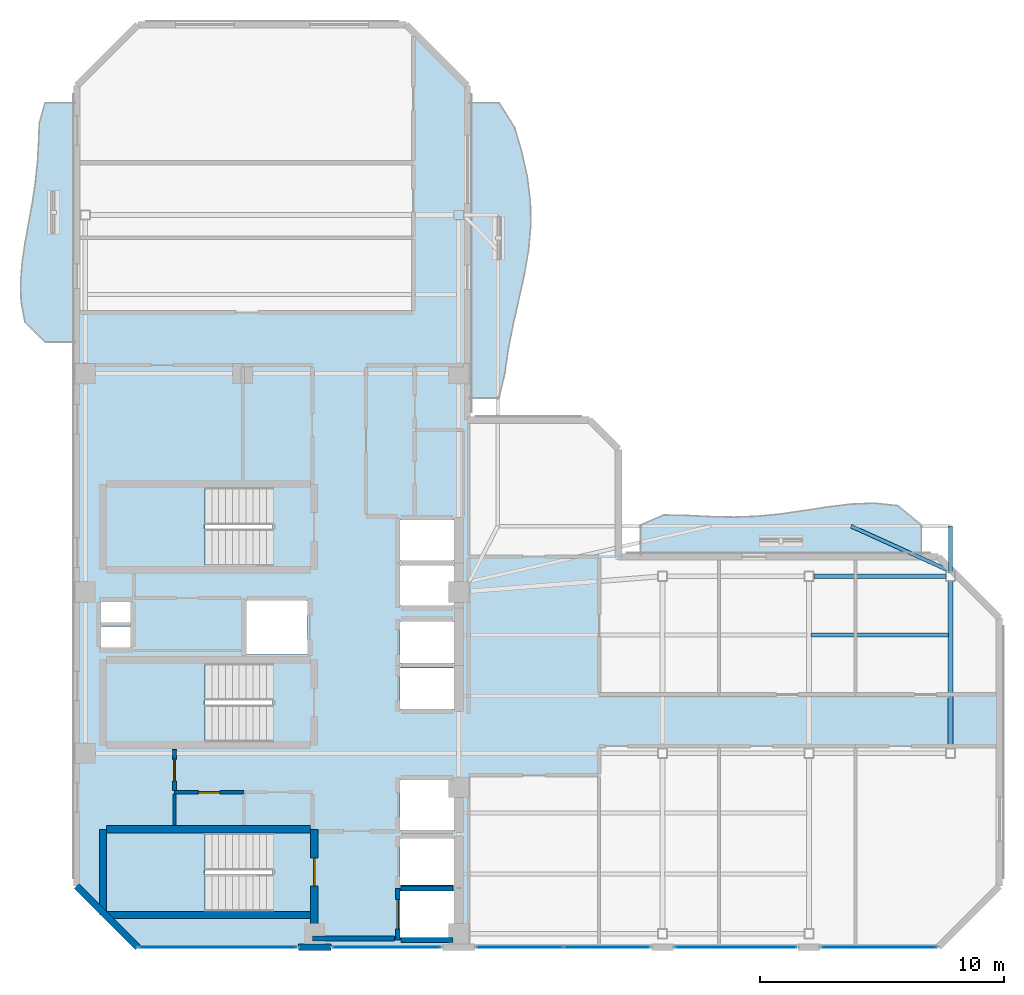
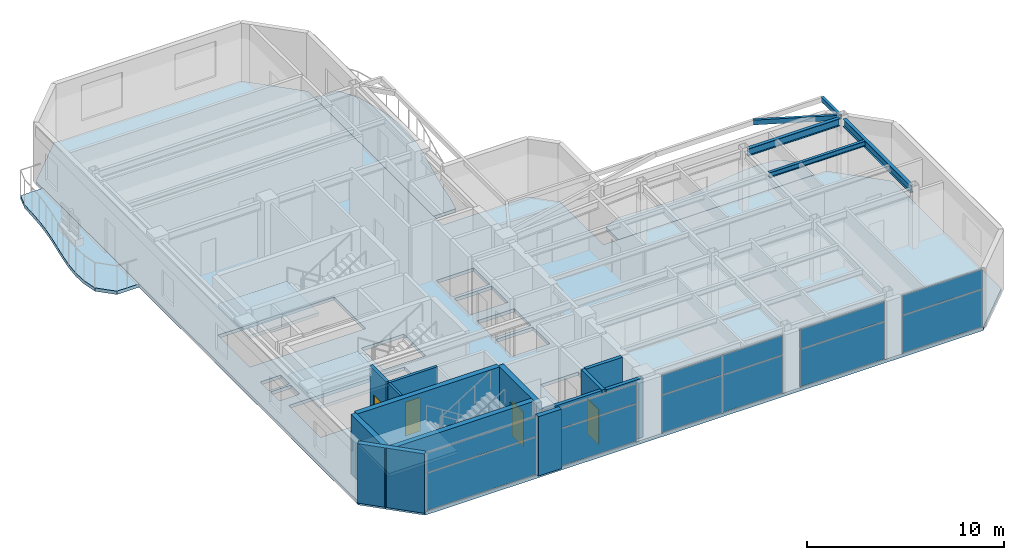
# One storey, part 8 of 15: 13 walls, 12 plates, 7 slabs, 5 beams, 4 doors, 4 openings, 8 elements without a shape of their own.
"""IFC4 building model written with IfcOpenShell, lengths in metres."""

import ifcopenshell
import ifcopenshell.guid

model = None  # the IFC model being written
_history = None  # IfcOwnerHistory: only IFC2X3 demands one
_inside = {}  # id of a spatial element -> (the spatial element, [elements in it])
_under = {}  # id of a project, library or spatial element -> (it, [spatial elements below it])
_declared = {}  # id of a project -> (the project, [libraries it declares])
_typed = {}  # id of a type object -> (the type object, [elements of that type])
_made_of = {}  # id of a material, layer set ... -> (it, [elements and type objects made of it])


def new_model(schema):
    """Start an empty IFC model of exactly this schema.

    Asked for "IFC4X3", IfcOpenShell would pick the latest addendum, in which some entities
    have other attributes; the version numbers below select the first issue.
    IFC2X3 requires an IfcOwnerHistory on every rooted entity: one is made here for all.
    """
    global model, _history
    if schema == "IFC4X3":
        model = ifcopenshell.file(schema_version=(4, 3, 0, 0))
    else:
        model = ifcopenshell.file(schema=schema)
    _inside.clear()
    _under.clear()
    _declared.clear()
    _typed.clear()
    _made_of.clear()
    _history = None
    if model.schema == "IFC2X3":
        org = make("IfcOrganization", Name="unknown")
        user = make(
            "IfcPersonAndOrganization",
            ThePerson=make("IfcPerson", FamilyName="unknown"),
            TheOrganization=org,
        )
        app = make(
            "IfcApplication",
            ApplicationDeveloper=org,
            Version="unknown",
            ApplicationFullName="unknown",
            ApplicationIdentifier="unknown",
        )
        _history = make(
            "IfcOwnerHistory",
            OwningUser=user,
            OwningApplication=app,
            ChangeAction="ADDED",
            CreationDate=0,
        )
    return model


def make(cls, **values):
    """One entity of the class cls with the attributes given. An attribute that is None is left unset."""
    return model.create_entity(
        cls, **{name: value for name, value in values.items() if value is not None}
    )


def rooted(cls, **values):
    """An entity with a GlobalId (a new one), such as an element, a storey or a relation."""
    return make(cls, GlobalId=ifcopenshell.guid.new(), OwnerHistory=_history, **values)


def si_unit(unit_type, name, prefix=None):
    """IfcSIUnit, for example si_unit("LENGTHUNIT", "METRE", prefix="MILLI")."""
    return make("IfcSIUnit", UnitType=unit_type, Prefix=prefix, Name=name)


def assignment(units):
    """IfcUnitAssignment: the units of a project."""
    return None if units is None else make("IfcUnitAssignment", Units=units)


def point(xyz):
    """IfcCartesianPoint."""
    return None if xyz is None else make("IfcCartesianPoint", Coordinates=xyz)


def direction(xyz):
    """IfcDirection."""
    return None if xyz is None else make("IfcDirection", DirectionRatios=xyz)


def frame(location, z_axis=None, x_axis=None):
    """IfcAxis2Placement3D, a coordinate frame: its origin and axes. An axis left out is left unset."""
    return make(
        "IfcAxis2Placement3D",
        Location=point(location),
        Axis=direction(z_axis),
        RefDirection=direction(x_axis),
    )


def frame_2d(location, x_axis=None):
    """IfcAxis2Placement2D, a coordinate frame in the plane: its origin and x axis."""
    return make(
        "IfcAxis2Placement2D", Location=point(location), RefDirection=direction(x_axis)
    )


def origin():
    """The frame at (0, 0, 0) with its axes left unset."""
    return frame((0.0, 0.0, 0.0))


def origin_2d():
    """The frame at (0, 0) in the plane with its x axis left unset."""
    return frame_2d((0.0, 0.0))


def place(relative_to, where):
    """IfcLocalPlacement: puts the frame where relative to a parent placement (None: the world)."""
    return make(
        "IfcLocalPlacement", PlacementRelTo=relative_to, RelativePlacement=where
    )


def context(
    kind, dimensions, precision=None, world=None, true_north=None, identifier=None
):
    """IfcGeometricRepresentationContext, for example the 3D "Model" context."""
    return make(
        "IfcGeometricRepresentationContext",
        ContextIdentifier=identifier,
        ContextType=kind,
        CoordinateSpaceDimension=dimensions,
        Precision=precision,
        WorldCoordinateSystem=world,
        TrueNorth=true_north,
    )


def subcontext(parent, identifier, kind, view, scale=None):
    """IfcGeometricRepresentationSubContext, for example "Body" below "Model"."""
    return make(
        "IfcGeometricRepresentationSubContext",
        ContextIdentifier=identifier,
        ContextType=kind,
        ParentContext=parent,
        TargetScale=scale,
        TargetView=view,
    )


def project(units=None, contexts=None):
    """IfcProject with its units and contexts."""
    return rooted(
        "IfcProject",
        Name="project",
        RepresentationContexts=contexts,
        UnitsInContext=assignment(units),
    )


def spatial(cls, under=None, at=None, **own):
    """A site, building, storey or space (cls), placed at a placement, below another one or the project."""
    s = rooted(cls, ObjectPlacement=at, **own)
    if under is not None:
        _under.setdefault(under.id(), (under, []))[1].append(s)
    return s


def polyline(points):
    """IfcPolyline through the points."""
    return make("IfcPolyline", Points=[point(p) for p in points])


def profile(cls, at=None, kind="AREA", **sizes):
    """A parametric profile (cls). Its sizes go by their IFC names, for example OverallWidth=200.0."""
    return make(cls, ProfileType=kind, Position=at, **sizes)


def rectangle(**sizes):
    """IfcRectangleProfileDef."""
    return profile("IfcRectangleProfileDef", **sizes)


def hollow_rectangle(**sizes):
    """IfcRectangleHollowProfileDef."""
    return profile("IfcRectangleHollowProfileDef", **sizes)


def i_section(**sizes):
    """IfcIShapeProfileDef."""
    return profile("IfcIShapeProfileDef", **sizes)


def outline(outer, holes=None, kind="AREA"):
    """IfcArbitraryClosedProfileDef: a profile drawn as a closed curve; with holes, ...WithVoids."""
    if holes is None:
        return make("IfcArbitraryClosedProfileDef", ProfileType=kind, OuterCurve=outer)
    return make(
        "IfcArbitraryProfileDefWithVoids",
        ProfileType=kind,
        OuterCurve=outer,
        InnerCurves=holes,
    )


def extrude(swept, where, along, depth):
    """IfcExtrudedAreaSolid: the profile swept, set in the frame where, extruded along a direction by depth."""
    return make(
        "IfcExtrudedAreaSolid",
        SweptArea=swept,
        Position=where,
        ExtrudedDirection=direction(along),
        Depth=depth,
    )


def shape(context_of_items, identifier, shape_type, items):
    """IfcShapeRepresentation: the items that make up one representation, for example the "Body"."""
    return make(
        "IfcShapeRepresentation",
        ContextOfItems=context_of_items,
        RepresentationIdentifier=identifier,
        RepresentationType=shape_type,
        Items=items,
    )


def material(Name=None, Category=None):
    """IfcMaterial."""
    return make("IfcMaterial", Name=Name, Category=Category)


def layer(
    of_material, thickness, ventilated=None, Name=None, Category=None, Priority=None
):
    """IfcMaterialLayer: one layer of a wall or slab, of a material (None: an air gap)."""
    return make(
        "IfcMaterialLayer",
        Material=of_material,
        LayerThickness=thickness,
        IsVentilated=ventilated,
        Name=Name,
        Category=Category,
        Priority=Priority,
    )


def layer_set(layers, Name=None):
    """IfcMaterialLayerSet."""
    return make("IfcMaterialLayerSet", MaterialLayers=layers, LayerSetName=Name)


def material_profile(
    of_material, cross_section, Name=None, Category=None, Priority=None
):
    """IfcMaterialProfile: a cross section and its material."""
    return make(
        "IfcMaterialProfile",
        Name=Name,
        Material=of_material,
        Profile=cross_section,
        Priority=Priority,
        Category=Category,
    )


def profile_set(profiles, Name=None, composite=None):
    """IfcMaterialProfileSet."""
    return make(
        "IfcMaterialProfileSet",
        Name=Name,
        MaterialProfiles=profiles,
        CompositeProfile=composite,
    )


def made_of(thing, what):
    """Note that an element or type object is made of a material, layer set ...; save() writes the relation."""
    if what is not None:
        _made_of.setdefault(what.id(), (what, []))[1].append(thing)
    return thing


def type_object(cls, material=None, **own):
    """A type object (cls), such as IfcWallType, which elements share."""
    return made_of(rooted(cls, **own), material)


def element(
    cls,
    number,
    at=None,
    inside=None,
    cuts=None,
    type_object=None,
    material=None,
    context=None,
    identifier="Body",
    shape_type=None,
    held_by="IfcProductDefinitionShape",
    body=None,
    shapes=None,
    **own,
):
    """One element of the class cls, such as IfcWall. Its Tag is "e" and its number.

    at: its placement. inside: the storey or other place that contains it. cuts: it is an
    opening in that element (IfcRelVoidsElement). A single representation is given by context,
    identifier, shape_type and body (its items); several are given by shapes. held_by: the class
    of the entity that holds the representations. save() writes the other relations.
    """
    e = rooted(cls, Tag="e%d" % number, ObjectPlacement=at, **own)
    if body is not None:
        shapes = [shape(context, identifier, shape_type, body)]
    if shapes is not None:
        e.Representation = make(held_by, Representations=shapes)
    if inside is not None:
        _inside.setdefault(inside.id(), (inside, []))[1].append(e)
    if cuts is not None:
        rooted(
            "IfcRelVoidsElement", RelatingBuildingElement=cuts, RelatedOpeningElement=e
        )
    if type_object is not None:
        _typed.setdefault(type_object.id(), (type_object, []))[1].append(e)
    return made_of(e, material)


def fill(opening, filler):
    """IfcRelFillsElement: the door or window that sits in an opening."""
    return rooted(
        "IfcRelFillsElement",
        RelatingOpeningElement=opening,
        RelatedBuildingElement=filler,
    )


def aggregate(whole, parts):
    """IfcRelAggregates: a whole, such as a stair, and the parts it consists of."""
    return rooted("IfcRelAggregates", RelatingObject=whole, RelatedObjects=parts)


def save(model, path):
    """Write the relations noted so far, then the file.

    IfcRelAggregates (storeys below a building ...), IfcRelContainedInSpatialStructure (elements
    in a storey), IfcRelDefinesByType, IfcRelAssociatesMaterial and IfcRelDeclares: one each for
    every whole, place, type object, material and project.
    """
    for whole, parts in _under.values():
        aggregate(whole, parts)
    for where, things in _inside.values():
        rooted(
            "IfcRelContainedInSpatialStructure",
            RelatedElements=things,
            RelatingStructure=where,
        )
    for kind, things in _typed.values():
        rooted("IfcRelDefinesByType", RelatedObjects=things, RelatingType=kind)
    for what, things in _made_of.values():
        rooted("IfcRelAssociatesMaterial", RelatedObjects=things, RelatingMaterial=what)
    for by, libraries in _declared.values():
        rooted("IfcRelDeclares", RelatingContext=by, RelatedDefinitions=libraries)
    model.write(path)


model = new_model("IFC4")

# Units and contexts
model_context = context("Model", 3, precision=1e-05, world=origin(), true_north=direction((0.0, 1.0)))
body_context = subcontext(model_context, "Body", "Model", "MODEL_VIEW")
ifc_project = project(units=[si_unit("LENGTHUNIT", "METRE"), si_unit("AREAUNIT", "SQUARE_METRE"), si_unit("VOLUMEUNIT", "CUBIC_METRE"), si_unit("PLANEANGLEUNIT", "RADIAN"), si_unit("MASSUNIT", "GRAM", prefix="KILO")], contexts=[model_context])

# Site, building, storey
site_placement = place(None, origin())
site = spatial("IfcSite", under=ifc_project, at=site_placement, CompositionType="ELEMENT")
building_placement = place(site_placement, origin())
building = spatial("IfcBuilding", under=site, at=building_placement, Name="Mawjaban Terraces University", CompositionType="ELEMENT")
storey_placement = place(building_placement, frame((0.0, 0.0, 295.0)))
storey = spatial("IfcBuildingStorey", under=building, at=storey_placement, Name="L72", CompositionType="ELEMENT", Elevation=295.0)

# Beams
ifc_material_1 = material(Name="Steel EN 10210-1 S355J2H", Category="steel")
ifc_material_profile_1 = material_profile(ifc_material_1, hollow_rectangle(XDim=0.14990234375, YDim=0.300048828125, WallThickness=0.012451171875, at=origin_2d()), Name="RHS300X150X12.5")
ifc_profile_set_1 = profile_set([ifc_material_profile_1], Name="Steel EN 10210-1 S355J2H")
beam_type_1 = type_object("IfcBeamType", Name="BalconyCantileverSpandrel_RHS", PredefinedType="SPANDREL", material=ifc_profile_set_1)
beam_1_placement = place(storey_placement, frame((57.800048828125, 15.39990234375, 3.5400390625), z_axis=(0.0, 1.0, 0.0), x_axis=(-1.0, 0.0, 0.0)))
element("IfcBeam", 1, at=beam_1_placement, inside=storey, type_object=beam_type_1, Name="L72 Exterior Outrigger BAL-L73-N.2", PredefinedType="SPANDREL", context=body_context, shape_type="SweptSolid", body=[
    extrude(hollow_rectangle(XDim=0.14990234375, YDim=0.300048828125, WallThickness=0.012451171875, at=origin_2d()), origin(), (0.0, 0.0, 1.0), 1.85009765625),
])
beam_2_placement = place(storey_placement, frame((57.800048828125, 15.39990234375, 3.5400390625), z_axis=(-0.910547611438, 0.413404217811, 0.0), x_axis=(-0.413404217811, -0.910547611438, 0.0)))
element("IfcBeam", 2, at=beam_2_placement, inside=storey, type_object=beam_type_1, Name="L72 Exterior Diagonal Strut BAL-L73-N.2", PredefinedType="SPANDREL", context=body_context, shape_type="SweptSolid", body=[
    extrude(hollow_rectangle(XDim=0.14990234375, YDim=0.300048828125, WallThickness=0.012451171875, at=origin_2d()), origin(), (0.0, 0.0, 1.0), 4.475341796875),
])
ifc_material_2 = material(Name="Steel ASTM A572 Grade 50", Category="steel")
ifc_material_profile_2 = material_profile(ifc_material_2, i_section(OverallWidth=0.194091796875, OverallDepth=0.468994140625, WebThickness=0.011474609375, FlangeThickness=0.0205078125, at=origin_2d()), Name="W460X106")
ifc_profile_set_2 = profile_set([ifc_material_profile_2], Name="Steel ASTM A572 Grade 50")
beam_type_2 = type_object("IfcBeamType", Name="Beam_B_W460X106", PredefinedType="BEAM", material=ifc_profile_set_2)
beam_3_placement = place(storey_placement, frame((52.199951171875, 15.199951171875, 3.455078125), z_axis=(1.0, 0.0, 0.0), x_axis=(0.0, 1.0, 0.0)))
element("IfcBeam", 3, at=beam_3_placement, inside=storey, type_object=beam_type_2, Name="L72 Beam BM-L72-EW-07", PredefinedType="BEAM", context=body_context, shape_type="SweptSolid", body=[
    extrude(i_section(OverallWidth=0.194091796875, OverallDepth=0.468994140625, WebThickness=0.011474609375, FlangeThickness=0.0205078125, at=origin_2d()), origin(), (0.0, 0.0, 1.0), 5.400146484375),
])
beam_4_placement = place(storey_placement, frame((57.800048828125, 8.14990234375, 3.455078125), z_axis=(0.0, 1.0, 0.0), x_axis=(-1.0, 0.0, 0.0)))
element("IfcBeam", 4, at=beam_4_placement, inside=storey, type_object=beam_type_2, Name="L72 Beam BM-L72-NS-12", PredefinedType="BEAM", context=body_context, shape_type="SweptSolid", body=[
    extrude(i_section(OverallWidth=0.194091796875, OverallDepth=0.468994140625, WebThickness=0.011474609375, FlangeThickness=0.0205078125, at=origin_2d()), origin(), (0.0, 0.0, 1.0), 6.85009765625),
])
ifc_material_profile_3 = material_profile(ifc_material_2, i_section(OverallWidth=0.1669921875, OverallDepth=0.318115234375, WebThickness=0.007568359375, FlangeThickness=0.01318359375, at=origin_2d()), Name="W310X52")
ifc_profile_set_3 = profile_set([ifc_material_profile_3], Name="Steel ASTM A572 Grade 50")
beam_type_3 = type_object("IfcBeamType", Name="Beam_J_W310X52", PredefinedType="JOIST", material=ifc_profile_set_3)
beam_5_placement = place(storey_placement, frame((52.080078125, 12.800048828125, 3.531005859375), z_axis=(1.0, 0.0, 0.0), x_axis=(0.0, 1.0, 0.0)))
element("IfcBeam", 5, at=beam_5_placement, inside=storey, type_object=beam_type_3, Name="L72 Composite Joist JST-L72-10", PredefinedType="JOIST", context=body_context, shape_type="SweptSolid", body=[
    extrude(i_section(OverallWidth=0.1669921875, OverallDepth=0.318115234375, WebThickness=0.007568359375, FlangeThickness=0.01318359375, at=origin_2d()), origin(), (0.0, 0.0, 1.0), 5.639892578125),
])

# Slabs
ifc_material_3 = material(Name="Concrete C40/50", Category="concrete")
ifc_layer_1 = layer(ifc_material_3, 0.2099609375)
ifc_layer_set_1 = layer_set([ifc_layer_1], Name="Concrete C40/50")
slab_type_1 = type_object("IfcSlabType", Name="BalconySlab_210_Ext", PredefinedType="FLOOR", material=ifc_layer_set_1)
slab_1_placement = place(storey_placement, frame((0.0, 0.0, -0.2099609375)))
element("IfcSlab", 6, at=slab_1_placement, inside=storey, type_object=slab_type_1, Name="L72 Planted Balcony Slab west", PredefinedType="FLOOR", context=body_context, shape_type="SweptSolid", body=[
    extrude(outline(polyline([(22.010009765625, 24.800048828125), (22.010009765625, 34.60009765625), (20.699951171875, 34.60009765625), (20.466064453125, 33.782958984375), (20.43408203125, 32.967041015625), (20.386962890625, 32.14990234375), (20.301025390625, 31.3330078125), (20.178955078125, 30.51708984375), (20.031005859375, 29.699951171875), (19.883056640625, 28.883056640625), (19.760986328125, 28.06689453125), (19.696044921875, 27.25), (19.719970703125, 26.43310546875), (19.875, 25.616943359375), (20.699951171875, 24.800048828125), (22.010009765625, 24.800048828125)])), origin(), (0.0, 0.0, 1.0), 0.2099609375),
])
slab_2_placement = place(storey_placement, frame((0.0, 0.0, -0.2099609375)))
element("IfcSlab", 7, at=slab_2_placement, inside=storey, type_object=slab_type_1, Name="L72 Planted Balcony Slab inner_north", PredefinedType="FLOOR", context=body_context, shape_type="SweptSolid", body=[
    extrude(outline(polyline([(45.10009765625, 15.989990234375), (56.60009765625, 15.989990234375), (56.60009765625, 17.300048828125), (55.64208984375, 18.091064453125), (54.68310546875, 18.193115234375), (53.72509765625, 18.156005859375), (52.76708984375, 18.0390625), (51.80810546875, 17.89111328125), (50.85009765625, 17.751953125), (49.89208984375, 17.656982421875), (48.93310546875, 17.6220703125), (47.97509765625, 17.64208984375), (47.01708984375, 17.68994140625), (46.05810546875, 17.7099609375), (45.10009765625, 17.300048828125), (45.10009765625, 15.989990234375)])), origin(), (0.0, 0.0, 1.0), 0.2099609375),
])
slab_3_placement = place(storey_placement, frame((0.0, 0.0, -0.2099609375)))
element("IfcSlab", 8, at=slab_3_placement, inside=storey, type_object=slab_type_1, Name="L72 Planted Balcony Slab inner_east", PredefinedType="FLOOR", context=body_context, shape_type="SweptSolid", body=[
    extrude(outline(polyline([(39.300048828125, 22.5), (39.534912109375, 23.508056640625), (39.68310546875, 24.51708984375), (39.8798828125, 25.52490234375), (40.10888671875, 26.532958984375), (40.3330078125, 27.5419921875), (40.509033203125, 28.550048828125), (40.60009765625, 29.55810546875), (40.583984375, 30.56689453125), (40.4560546875, 31.574951171875), (40.23388671875, 32.5830078125), (39.93603515625, 33.592041015625), (39.300048828125, 34.60009765625), (37.989990234375, 34.60009765625), (37.989990234375, 22.5), (39.300048828125, 22.5)])), origin(), (0.0, 0.0, 1.0), 0.2099609375),
])
ifc_layer_2 = layer(ifc_material_3, 0.2099609375)
ifc_layer_set_2 = layer_set([ifc_layer_2], Name="Concrete C40/50")
slab_type_2 = type_object("IfcSlabType", Name="CompositeSlab_210", PredefinedType="FLOOR", material=ifc_layer_set_2)
slab_4_placement = place(storey_placement, frame((0.0, 0.0, -0.2099609375)))
element("IfcSlab", 9, at=slab_4_placement, inside=storey, type_object=slab_type_2, Name="L72 Primary Structural Slab", PredefinedType="FLOOR", context=body_context, shape_type="SweptSolid", body=[
    extrude(outline(polyline([(24.5, 0.0), (57.300048828125, 0.0), (59.800048828125, 2.5), (59.800048828125, 13.5), (57.300048828125, 16.0), (44.199951171875, 16.0), (44.199951171875, 20.39990234375), (43.0, 21.60009765625), (38.0, 21.60009765625), (38.0, 35.300048828125), (35.5, 37.800048828125), (24.5, 37.800048828125), (22.0, 35.300048828125), (22.0, 2.5), (24.5, 0.0)]), holes=[polyline([(30.014892578125, 4.699951171875), (23.199951171875, 4.699951171875), (23.199951171875, 1.449951171875), (30.014892578125, 1.449951171875), (30.014892578125, 4.699951171875)]), polyline([(30.014892578125, 18.85009765625), (23.199951171875, 18.85009765625), (23.199951171875, 15.60009765625), (30.014892578125, 15.60009765625), (30.014892578125, 18.85009765625)]), polyline([(30.014892578125, 11.64990234375), (23.199951171875, 11.64990234375), (23.199951171875, 8.39990234375), (30.014892578125, 8.39990234375), (30.014892578125, 11.64990234375)]), polyline([(35.25, 0.39990234375), (37.449951171875, 0.39990234375), (37.449951171875, 2.300048828125), (35.25, 2.300048828125), (35.25, 0.39990234375)]), polyline([(35.25, 2.550048828125), (37.449951171875, 2.550048828125), (37.449951171875, 4.449951171875), (35.25, 4.449951171875), (35.25, 2.550048828125)]), polyline([(35.25, 4.800048828125), (37.449951171875, 4.800048828125), (37.449951171875, 6.85009765625), (35.25, 6.85009765625), (35.25, 4.800048828125)]), polyline([(35.25, 9.75), (37.449951171875, 9.75), (37.449951171875, 11.449951171875), (35.25, 11.449951171875), (35.25, 9.75)]), polyline([(35.25, 11.64990234375), (37.449951171875, 11.64990234375), (37.449951171875, 13.35009765625), (35.25, 13.35009765625), (35.25, 11.64990234375)]), polyline([(28.949951171875, 12.0), (31.449951171875, 12.0), (31.449951171875, 14.199951171875), (28.949951171875, 14.199951171875), (28.949951171875, 12.0)]), polyline([(35.25, 14.0), (37.449951171875, 14.0), (37.449951171875, 15.64990234375), (35.25, 15.64990234375), (35.25, 14.0)]), polyline([(35.25, 15.85009765625), (37.449951171875, 15.85009765625), (37.449951171875, 17.5), (35.25, 17.5), (35.25, 15.85009765625)]), polyline([(23.0, 12.25), (24.199951171875, 12.25), (24.199951171875, 13.14990234375), (23.0, 13.14990234375), (23.0, 12.25)]), polyline([(23.0, 13.300048828125), (24.199951171875, 13.300048828125), (24.199951171875, 14.179931640625), (23.0, 14.179931640625), (23.0, 13.300048828125)])]), origin(), (0.0, 0.0, 1.0), 0.2099609375),
])

# Stair, slab
stair_type = type_object("IfcStairType", Name="Stair_Core1550_H39", PredefinedType="HALF_TURN_STAIR", material=ifc_material_3)
stair_1_placement = place(storey_placement, origin())
stair_1 = element("IfcStair", 10, at=stair_1_placement, inside=storey, type_object=stair_type, Name="L72 Core Exit Stair 1", PredefinedType="HALF_TURN_STAIR")
ifc_layer_3 = layer(ifc_material_3, 0.199951171875)
ifc_layer_set_3 = layer_set([ifc_layer_3], Name="Concrete C40/50")
slab_type_3 = type_object("IfcSlabType", Name="StairLandingSlab_200", PredefinedType="LANDING", material=ifc_layer_set_3)
slab_5_placement = place(storey_placement, frame((0.0, 0.0, 1.75)))
slab_5 = element("IfcSlab", 11, at=slab_5_placement, type_object=slab_type_3, Name="ST-1 landing 1", PredefinedType="LANDING", context=body_context, shape_type="SweptSolid", body=[
    extrude(outline(polyline([(27.25, 4.699951171875), (23.199951171875, 4.699951171875), (23.199951171875, 1.449951171875), (27.25, 1.449951171875), (27.25, 4.699951171875)])), origin(), (0.0, 0.0, 1.0), 0.199951171875),
])
aggregate(stair_1, [slab_5])

stair_2_placement = place(storey_placement, origin())
stair_2 = element("IfcStair", 12, at=stair_2_placement, inside=storey, type_object=stair_type, Name="L72 Core Exit Stair 2", PredefinedType="HALF_TURN_STAIR")
slab_6_placement = place(storey_placement, frame((0.0, 0.0, 1.75)))
slab_6 = element("IfcSlab", 13, at=slab_6_placement, type_object=slab_type_3, Name="ST-2 landing 1", PredefinedType="LANDING", context=body_context, shape_type="SweptSolid", body=[
    extrude(outline(polyline([(27.25, 18.85009765625), (23.199951171875, 18.85009765625), (23.199951171875, 15.60009765625), (27.25, 15.60009765625), (27.25, 18.85009765625)])), origin(), (0.0, 0.0, 1.0), 0.199951171875),
])
aggregate(stair_2, [slab_6])

stair_3_placement = place(storey_placement, origin())
stair_3 = element("IfcStair", 14, at=stair_3_placement, inside=storey, type_object=stair_type, Name="L72 Core Exit Stair 3", PredefinedType="HALF_TURN_STAIR")
slab_7_placement = place(storey_placement, frame((0.0, 0.0, 1.75)))
slab_7 = element("IfcSlab", 15, at=slab_7_placement, type_object=slab_type_3, Name="ST-3 landing 1", PredefinedType="LANDING", context=body_context, shape_type="SweptSolid", body=[
    extrude(outline(polyline([(27.25, 11.64990234375), (23.199951171875, 11.64990234375), (23.199951171875, 8.39990234375), (27.25, 8.39990234375), (27.25, 11.64990234375)])), origin(), (0.0, 0.0, 1.0), 0.199951171875),
])
aggregate(stair_3, [slab_7])

# Curtain wall, plates
ifc_material_4 = material(Name="Anodised aluminium 6063-T6 and solar-control low-E glass", Category="aluminium")
ifc_layer_4 = layer(ifc_material_4, 0.159912109375)
ifc_layer_set_4 = layer_set([ifc_layer_4], Name="Anodised aluminium 6063-T6 and solar-control low-E glass")
curtain_wall_type = type_object("IfcCurtainWallType", Name="CWSystem_03_NorthWing", PredefinedType="NOTDEFINED", material=ifc_layer_set_4)
curtain_wall_1_placement = place(storey_placement, origin())
curtain_wall_1 = element("IfcCurtainWall", 16, at=curtain_wall_1_placement, inside=storey, type_object=curtain_wall_type, Name="L72 Curtain Wall CW-03 Run 1.1", PredefinedType="NOTDEFINED")
ifc_material_5 = material(Name="Low-E solar-control double glazing", Category="glass")
ifc_layer_5 = layer(ifc_material_5, 0.028076171875)
ifc_layer_set_5 = layer_set([ifc_layer_5], Name="Low-E solar-control double glazing")
plate_type = type_object("IfcPlateType", Name="VisionPanel_CW-03", PredefinedType="CURTAIN_PANEL", material=ifc_layer_set_5)
plate_1_placement = place(storey_placement, frame((27.78759765625, 0.0, 0.06005859375), z_axis=(0.0, 0.0, 1.0), x_axis=(1.0, 0.0, 0.0)))
plate_1 = element("IfcPlate", 17, at=plate_1_placement, type_object=plate_type, Name="CW-03 panel 1.1", PredefinedType="CURTAIN_PANEL", context=body_context, shape_type="SweptSolid", body=[
    extrude(rectangle(XDim=6.445068359375, YDim=0.028076171875, at=origin_2d()), origin(), (0.0, 0.0, 1.0), 2.30908203125),
])
plate_2_placement = place(storey_placement, frame((27.78759765625, 0.0, 2.42919921875), z_axis=(0.0, 0.0, 1.0), x_axis=(1.0, 0.0, 0.0)))
plate_2 = element("IfcPlate", 18, at=plate_2_placement, type_object=plate_type, Name="CW-03 panel 1.2", PredefinedType="CURTAIN_PANEL", context=body_context, shape_type="SweptSolid", body=[
    extrude(rectangle(XDim=6.445068359375, YDim=0.028076171875, at=origin_2d()), origin(), (0.0, 0.0, 1.0), 1.200927734375),
])
aggregate(curtain_wall_1, [plate_1, plate_2])

curtain_wall_2_placement = place(storey_placement, origin())
curtain_wall_2 = element("IfcCurtainWall", 19, at=curtain_wall_2_placement, inside=storey, type_object=curtain_wall_type, Name="L72 Curtain Wall CW-03 Run 1.2", PredefinedType="NOTDEFINED")
plate_3_placement = place(storey_placement, frame((34.699951171875, 0.0, 0.06005859375), z_axis=(0.0, 0.0, 1.0), x_axis=(1.0, 0.0, 0.0)))
plate_3 = element("IfcPlate", 20, at=plate_3_placement, type_object=plate_type, Name="CW-03 panel 1.1", PredefinedType="CURTAIN_PANEL", context=body_context, shape_type="SweptSolid", body=[
    extrude(rectangle(XDim=4.419921875, YDim=0.028076171875, at=origin_2d()), origin(), (0.0, 0.0, 1.0), 2.30908203125),
])
plate_4_placement = place(storey_placement, frame((34.699951171875, 0.0, 2.42919921875), z_axis=(0.0, 0.0, 1.0), x_axis=(1.0, 0.0, 0.0)))
plate_4 = element("IfcPlate", 21, at=plate_4_placement, type_object=plate_type, Name="CW-03 panel 1.2", PredefinedType="CURTAIN_PANEL", context=body_context, shape_type="SweptSolid", body=[
    extrude(rectangle(XDim=4.419921875, YDim=0.028076171875, at=origin_2d()), origin(), (0.0, 0.0, 1.0), 1.200927734375),
])
aggregate(curtain_wall_2, [plate_3, plate_4])

curtain_wall_3_placement = place(storey_placement, origin())
curtain_wall_3 = element("IfcCurtainWall", 22, at=curtain_wall_3_placement, inside=storey, type_object=curtain_wall_type, Name="L72 Curtain Wall CW-03 Run 1.3", PredefinedType="NOTDEFINED")
plate_5_placement = place(storey_placement, frame((40.1474609375, 0.0, 0.06005859375), z_axis=(0.0, 0.0, 1.0), x_axis=(1.0, 0.0, 0.0)))
plate_5 = element("IfcPlate", 23, at=plate_5_placement, type_object=plate_type, Name="CW-03 panel 1.1", PredefinedType="CURTAIN_PANEL", context=body_context, shape_type="SweptSolid", body=[
    extrude(rectangle(XDim=3.514892578125, YDim=0.028076171875, at=origin_2d()), origin(), (0.0, 0.0, 1.0), 2.30908203125),
])
plate_6_placement = place(storey_placement, frame((40.1474609375, 0.0, 2.42919921875), z_axis=(0.0, 0.0, 1.0), x_axis=(1.0, 0.0, 0.0)))
plate_6 = element("IfcPlate", 24, at=plate_6_placement, type_object=plate_type, Name="CW-03 panel 1.2", PredefinedType="CURTAIN_PANEL", context=body_context, shape_type="SweptSolid", body=[
    extrude(rectangle(XDim=3.514892578125, YDim=0.028076171875, at=origin_2d()), origin(), (0.0, 0.0, 1.0), 1.200927734375),
])
plate_7_placement = place(storey_placement, frame((43.7275390625, 0.0, 0.06005859375), z_axis=(0.0, 0.0, 1.0), x_axis=(1.0, 0.0, 0.0)))
plate_7 = element("IfcPlate", 25, at=plate_7_placement, type_object=plate_type, Name="CW-03 panel 2.1", PredefinedType="CURTAIN_PANEL", context=body_context, shape_type="SweptSolid", body=[
    extrude(rectangle(XDim=3.514892578125, YDim=0.028076171875, at=origin_2d()), origin(), (0.0, 0.0, 1.0), 2.30908203125),
])
plate_8_placement = place(storey_placement, frame((43.7275390625, 0.0, 2.42919921875), z_axis=(0.0, 0.0, 1.0), x_axis=(1.0, 0.0, 0.0)))
plate_8 = element("IfcPlate", 26, at=plate_8_placement, type_object=plate_type, Name="CW-03 panel 2.2", PredefinedType="CURTAIN_PANEL", context=body_context, shape_type="SweptSolid", body=[
    extrude(rectangle(XDim=3.514892578125, YDim=0.028076171875, at=origin_2d()), origin(), (0.0, 0.0, 1.0), 1.200927734375),
])
aggregate(curtain_wall_3, [plate_5, plate_6, plate_7, plate_8])

curtain_wall_4_placement = place(storey_placement, origin())
curtain_wall_4 = element("IfcCurtainWall", 27, at=curtain_wall_4_placement, inside=storey, type_object=curtain_wall_type, Name="L72 Curtain Wall CW-03 Run 1.4", PredefinedType="NOTDEFINED")
plate_9_placement = place(storey_placement, frame((49.0, 0.0, 0.06005859375), z_axis=(0.0, 0.0, 1.0), x_axis=(1.0, 0.0, 0.0)))
plate_9 = element("IfcPlate", 28, at=plate_9_placement, type_object=plate_type, Name="CW-03 panel 1.1", PredefinedType="CURTAIN_PANEL", context=body_context, shape_type="SweptSolid", body=[
    extrude(rectangle(XDim=4.969970703125, YDim=0.028076171875, at=origin_2d()), origin(), (0.0, 0.0, 1.0), 2.30908203125),
])
plate_10_placement = place(storey_placement, frame((49.0, 0.0, 2.42919921875), z_axis=(0.0, 0.0, 1.0), x_axis=(1.0, 0.0, 0.0)))
plate_10 = element("IfcPlate", 29, at=plate_10_placement, type_object=plate_type, Name="CW-03 panel 1.2", PredefinedType="CURTAIN_PANEL", context=body_context, shape_type="SweptSolid", body=[
    extrude(rectangle(XDim=4.969970703125, YDim=0.028076171875, at=origin_2d()), origin(), (0.0, 0.0, 1.0), 1.200927734375),
])
aggregate(curtain_wall_4, [plate_9, plate_10])

curtain_wall_5_placement = place(storey_placement, origin())
curtain_wall_5 = element("IfcCurtainWall", 30, at=curtain_wall_5_placement, inside=storey, type_object=curtain_wall_type, Name="L72 Curtain Wall CW-03 Run 1.5", PredefinedType="NOTDEFINED")
plate_11_placement = place(storey_placement, frame((54.875, 0.0, 0.06005859375), z_axis=(0.0, 0.0, 1.0), x_axis=(1.0, 0.0, 0.0)))
plate_11 = element("IfcPlate", 31, at=plate_11_placement, type_object=plate_type, Name="CW-03 panel 1.1", PredefinedType="CURTAIN_PANEL", context=body_context, shape_type="SweptSolid", body=[
    extrude(rectangle(XDim=4.719970703125, YDim=0.028076171875, at=origin_2d()), origin(), (0.0, 0.0, 1.0), 2.30908203125),
])
plate_12_placement = place(storey_placement, frame((54.875, 0.0, 2.42919921875), z_axis=(0.0, 0.0, 1.0), x_axis=(1.0, 0.0, 0.0)))
plate_12 = element("IfcPlate", 32, at=plate_12_placement, type_object=plate_type, Name="CW-03 panel 1.2", PredefinedType="CURTAIN_PANEL", context=body_context, shape_type="SweptSolid", body=[
    extrude(rectangle(XDim=4.719970703125, YDim=0.028076171875, at=origin_2d()), origin(), (0.0, 0.0, 1.0), 1.200927734375),
])
aggregate(curtain_wall_5, [plate_11, plate_12])

# Wall, opening, door
ifc_material_6 = material(Name="Fire-rated gypsum board on steel stud", Category="steel")
ifc_layer_6 = layer(ifc_material_6, 0.159912109375)
ifc_layer_set_6 = layer_set([ifc_layer_6], Name="Fire-rated gypsum board on steel stud")
wall_type_1 = type_object("IfcWallType", Name="CorridorPartition_160", PredefinedType="PARTITIONING", material=ifc_layer_set_6)
wall_1_placement = place(storey_placement, frame((26.0, 6.35009765625, 0.0), z_axis=(0.0, 0.0, 1.0), x_axis=(1.0, 0.0, 0.0)))
wall_1 = element("IfcWall", 33, at=wall_1_placement, inside=storey, type_object=wall_type_1, Name="L72 Core Washroom Lobby Partition 3", PredefinedType="PARTITIONING", context=body_context, shape_type="SweptSolid", body=[
    extrude(rectangle(XDim=2.85009765625, YDim=0.159912109375, at=frame_2d((1.425048828125, 0.0))), origin(), (0.0, 0.0, 1.0), 3.68994140625),
])
opening_1_placement = place(wall_1_placement, frame((0.985107421875, 0.0, 0.0)))
opening_1 = element("IfcOpeningElement", 34, at=opening_1_placement, cuts=wall_1, Name="Opening ID-088", PredefinedType="OPENING", context=body_context, shape_type="SweptSolid", body=[
    extrude(rectangle(XDim=0.8798828125, YDim=2.10009765625, at=frame_2d((0.43994140625, 1.050048828125))), frame((0.0, 0.08984375, 0.0), z_axis=(0.0, -1.0, 0.0), x_axis=(1.0, 0.0, 0.0)), (0.0, 0.0, 1.0), 0.179931640625),
])
ifc_material_7 = material(Name="Powder-coated steel frame and solid acoustic timber leaf", Category="steel")
door_type_1 = type_object("IfcDoorType", Name="ToiletDoor_880x2100", OperationType="NOTDEFINED", PredefinedType="DOOR", material=ifc_material_7)
door_1_placement = place(opening_1_placement, origin())
door_1 = element("IfcDoor", 35, at=door_1_placement, inside=storey, type_object=door_type_1, Name="L72 Male Toilet Door", OperationType="SINGLE_SWING_LEFT", OverallHeight=2.10009765625, OverallWidth=0.8798828125, PredefinedType="DOOR", context=body_context, shape_type="SweptSolid", body=[
    extrude(rectangle(XDim=0.8798828125, YDim=2.10009765625, at=frame_2d((0.43994140625, 1.050048828125))), frame((0.0, 0.02490234375, 0.0), z_axis=(0.0, -1.0, 0.0), x_axis=(1.0, 0.0, 0.0)), (0.0, 0.0, 1.0), 0.050048828125),
])
fill(opening_1, door_1)

wall_2_placement = place(storey_placement, frame((26.0, 8.090087890625, 0.0), z_axis=(0.0, 0.0, 1.0), x_axis=(0.0, -1.0, 0.0)))
wall_2 = element("IfcWall", 36, at=wall_2_placement, inside=storey, type_object=wall_type_1, Name="L72 Core Washroom Lobby Partition 26", PredefinedType="PARTITIONING", context=body_context, shape_type="SweptSolid", body=[
    extrude(rectangle(XDim=1.6650390625, YDim=0.159912109375, at=frame_2d((0.83251953125, 0.0))), origin(), (0.0, 0.0, 1.0), 3.68994140625),
])
opening_2_placement = place(wall_2_placement, frame((0.39306640625, 0.0, 0.0)))
opening_2 = element("IfcOpeningElement", 37, at=opening_2_placement, cuts=wall_2, Name="Opening ID-088", PredefinedType="OPENING", context=body_context, shape_type="SweptSolid", body=[
    extrude(rectangle(XDim=0.8798828125, YDim=2.10009765625, at=frame_2d((0.43994140625, 1.050048828125))), frame((0.0, 0.08984375, 0.0), z_axis=(0.0, -1.0, 0.0), x_axis=(1.0, 0.0, 0.0)), (0.0, 0.0, 1.0), 0.179931640625),
])
door_2_placement = place(opening_2_placement, origin())
door_2 = element("IfcDoor", 38, at=door_2_placement, inside=storey, type_object=door_type_1, Name="L72 Ablution Room Door", OperationType="SINGLE_SWING_RIGHT", OverallHeight=2.10009765625, OverallWidth=0.8798828125, PredefinedType="DOOR", context=body_context, shape_type="SweptSolid", body=[
    extrude(rectangle(XDim=0.8798828125, YDim=2.10009765625, at=frame_2d((0.43994140625, 1.050048828125))), frame((0.0, 0.02490234375, 0.0), z_axis=(0.0, -1.0, 0.0), x_axis=(1.0, 0.0, 0.0)), (0.0, 0.0, 1.0), 0.050048828125),
])
fill(opening_2, door_2)

# Walls
ifc_material_8 = material(Name="Insulated terracotta rainscreen on concrete backup C40/50", Category="masonry")
ifc_layer_7 = layer(ifc_material_8, 0.27490234375)
ifc_layer_set_7 = layer_set([ifc_layer_7], Name="Insulated terracotta rainscreen on concrete backup C40/50")
wall_type_2 = type_object("IfcWallType", Name="ExtTerracottaWall_275", PredefinedType="SOLIDWALL", material=ifc_layer_set_7)
wall_3_placement = place(storey_placement, frame((31.074951171875, 0.0, 0.0), z_axis=(0.0, 0.0, 1.0), x_axis=(1.0, 0.0, 0.0)))
element("IfcWall", 39, at=wall_3_placement, inside=storey, type_object=wall_type_2, Name="L72 Exterior Terracotta Pier Wall 1.1", PredefinedType="SOLIDWALL", context=body_context, shape_type="SweptSolid", body=[
    extrude(rectangle(XDim=1.35009765625, YDim=0.27490234375, at=frame_2d((0.675048828125, 0.0))), origin(), (0.0, 0.0, 1.0), 3.68994140625),
])
wall_4_placement = place(storey_placement, frame((22.0, 2.5, 0.0), z_axis=(0.0, 0.0, 1.0), x_axis=(0.707106781187, -0.707106781187, 0.0)))
element("IfcWall", 40, at=wall_4_placement, inside=storey, type_object=wall_type_2, Name="L72 Exterior Terracotta Wall 14", PredefinedType="SOLIDWALL", context=body_context, shape_type="SweptSolid", body=[
    extrude(rectangle(XDim=3.53564453125, YDim=0.27490234375, at=frame_2d((1.767822265625, 0.0))), origin(), (0.0, 0.0, 1.0), 3.68994140625),
])

# Wall, opening, door
ifc_layer_8 = layer(ifc_material_3, 0.199951171875)
ifc_layer_set_8 = layer_set([ifc_layer_8], Name="Concrete C40/50")
wall_type_3 = type_object("IfcWallType", Name="FireLobbyWall_200", PredefinedType="SOLIDWALL", material=ifc_layer_set_8)
wall_5_placement = place(storey_placement, frame((35.14990234375, 2.39990234375, 0.0), z_axis=(0.0, 0.0, 1.0), x_axis=(0.0, -1.0, 0.0)))
wall_5 = element("IfcWall", 41, at=wall_5_placement, inside=storey, type_object=wall_type_3, Name="L72 Lift FL-1 Hoistway Wall West", PredefinedType="SOLIDWALL", context=body_context, shape_type="SweptSolid", body=[
    extrude(rectangle(XDim=2.099853515625, YDim=0.199951171875, at=frame_2d((1.0498046875, 0.0))), origin(), (0.0, 0.0, 1.0), 3.68994140625),
])
opening_3_placement = place(wall_5_placement, frame((0.449951171875, 0.0, 0.0)))
opening_3 = element("IfcOpeningElement", 42, at=opening_3_placement, cuts=wall_5, Name="Opening LD-FL-1", PredefinedType="OPENING", context=body_context, shape_type="SweptSolid", body=[
    extrude(rectangle(XDim=1.199951171875, YDim=2.14990234375, at=frame_2d((0.60009765625, 1.074951171875))), frame((0.0, 0.10986328125, 0.0), z_axis=(0.0, -1.0, 0.0), x_axis=(1.0, 0.0, 0.0)), (0.0, 0.0, 1.0), 0.219970703125),
])
ifc_material_9 = material(Name="Powder-coated steel frame and fire-rated steel-faced leaf", Category="steel")
door_type_2 = type_object("IfcDoorType", Name="LiftLandingFSAE_1200x2150", OperationType="NOTDEFINED", PredefinedType="DOOR", material=ifc_material_9)
door_3_placement = place(opening_3_placement, origin())
door_3 = element("IfcDoor", 43, at=door_3_placement, inside=storey, type_object=door_type_2, Name="L72 Lift FL-1 Sliding Landing Door", OperationType="DOUBLE_DOOR_SLIDING", OverallHeight=2.14990234375, OverallWidth=1.199951171875, PredefinedType="DOOR", context=body_context, shape_type="SweptSolid", body=[
    extrude(rectangle(XDim=1.199951171875, YDim=2.14990234375, at=frame_2d((0.60009765625, 1.074951171875))), frame((0.0, 0.02490234375, 0.0), z_axis=(0.0, -1.0, 0.0), x_axis=(1.0, 0.0, 0.0)), (0.0, 0.0, 1.0), 0.050048828125),
])
fill(opening_3, door_3)

# Walls
for number, where, z_axis, x_axis, name in (
    (44, (35.280029296875, 0.300048828125, 0.0), (0.0, 0.0, 1.0), (1.0, 0.0, 0.0), "L72 Lift FL-1 Hoistway Wall South"),
    (45, (37.419921875, 2.39990234375, 0.0), (0.0, 0.0, 1.0), (-1.0, 0.0, 0.0), "L72 Lift FL-1 Hoistway Wall North"),
):
    element("IfcWall", number, at=place(storey_placement, frame(where, z_axis=z_axis, x_axis=x_axis)), inside=storey, type_object=wall_type_3, Name=name, PredefinedType="SOLIDWALL", context=body_context, shape_type="SweptSolid", body=[
        extrude(rectangle(XDim=2.139892578125, YDim=0.199951171875, at=frame_2d((1.06982421875, 0.0))), origin(), (0.0, 0.0, 1.0), 3.68994140625),
    ])
wall_6_placement = place(storey_placement, frame((31.64990234375, 0.35009765625, 0.0), z_axis=(0.0, 0.0, 1.0), x_axis=(1.0, 0.0, 0.0)))
element("IfcWall", 46, at=wall_6_placement, inside=storey, type_object=wall_type_3, Name="L72 Firefighting Lift Lobby Partition 6", PredefinedType="SOLIDWALL", context=body_context, shape_type="SweptSolid", body=[
    extrude(rectangle(XDim=3.3701171875, YDim=0.199951171875, at=frame_2d((1.68505859375, 0.0))), origin(), (0.0, 0.0, 1.0), 3.68994140625),
])
ifc_material_10 = material(Name="Concrete C60/75", Category="concrete")
ifc_layer_9 = layer(ifc_material_10, 0.300048828125)
ifc_layer_set_9 = layer_set([ifc_layer_9], Name="Concrete C60/75")
wall_type_4 = type_object("IfcWallType", Name="StairShaftWall_300", PredefinedType="SHEAR", material=ifc_layer_set_9)
wall_7_placement = place(storey_placement, frame((31.580078125, 4.830078125, 0.0), z_axis=(0.0, 0.0, 1.0), x_axis=(-1.0, 0.0, 0.0)))
element("IfcWall", 47, at=wall_7_placement, inside=storey, type_object=wall_type_4, Name="L72 ST-1 Stair Shaft Wall 1", PredefinedType="SHEAR", context=body_context, shape_type="SweptSolid", body=[
    extrude(rectangle(XDim=8.360107421875, YDim=0.300048828125, at=frame_2d((4.18017578125, 0.0))), origin(), (0.0, 0.0, 1.0), 3.68994140625),
])
wall_8_placement = place(storey_placement, frame((23.070068359375, 4.830078125, 0.0), z_axis=(0.0, 0.0, 1.0), x_axis=(0.0, -1.0, 0.0)))
element("IfcWall", 48, at=wall_8_placement, inside=storey, type_object=wall_type_4, Name="L72 ST-1 Stair Shaft Wall 2", PredefinedType="SHEAR", context=body_context, shape_type="SweptSolid", body=[
    extrude(rectangle(XDim=3.510009765625, YDim=0.300048828125, at=frame_2d((1.7548828125, 0.0))), origin(), (0.0, 0.0, 1.0), 3.68994140625),
])
wall_9_placement = place(storey_placement, frame((23.219970703125, 1.320068359375, 0.0), z_axis=(0.0, 0.0, 1.0), x_axis=(1.0, 0.0, 0.0)))
element("IfcWall", 49, at=wall_9_placement, inside=storey, type_object=wall_type_4, Name="L72 ST-1 Stair Shaft Wall 3", PredefinedType="SHEAR", context=body_context, shape_type="SweptSolid", body=[
    extrude(rectangle(XDim=8.360107421875, YDim=0.300048828125, at=frame_2d((4.18017578125, 0.0))), origin(), (0.0, 0.0, 1.0), 3.68994140625),
])

# Wall, opening, door
wall_10_placement = place(storey_placement, frame((31.72998046875, 0.9599609375, 0.0), z_axis=(0.0, 0.0, 1.0), x_axis=(0.0, 1.0, 0.0)))
wall_10 = element("IfcWall", 50, at=wall_10_placement, inside=storey, type_object=wall_type_4, Name="L72 ST-1 Stair Shaft Wall 4", PredefinedType="SHEAR", context=body_context, shape_type="SweptSolid", body=[
    extrude(rectangle(XDim=3.8701171875, YDim=0.300048828125, at=frame_2d((1.93505859375, 0.0))), origin(), (0.0, 0.0, 1.0), 3.68994140625),
])
opening_4_placement = place(wall_10_placement, frame((1.5400390625, 0.0, 0.0)))
opening_4 = element("IfcOpeningElement", 51, at=opening_4_placement, cuts=wall_10, Name="Opening FD-115", PredefinedType="OPENING", context=body_context, shape_type="SweptSolid", body=[
    extrude(rectangle(XDim=1.14990234375, YDim=2.14990234375, at=frame_2d((0.574951171875, 1.074951171875))), frame((0.0, 0.159912109375, 0.0), z_axis=(0.0, -1.0, 0.0), x_axis=(1.0, 0.0, 0.0)), (0.0, 0.0, 1.0), 0.320068359375),
])
door_type_3 = type_object("IfcDoorType", Name="FireStairDoor_1150x2150", OperationType="NOTDEFINED", PredefinedType="DOOR", material=ifc_material_9)
door_4_placement = place(opening_4_placement, origin())
door_4 = element("IfcDoor", 52, at=door_4_placement, inside=storey, type_object=door_type_3, Name="L72 ST-1 Pressurised Stair Fire Door", OperationType="SINGLE_SWING_RIGHT", OverallHeight=2.14990234375, OverallWidth=1.14990234375, PredefinedType="DOOR", context=body_context, shape_type="SweptSolid", body=[
    extrude(rectangle(XDim=1.14990234375, YDim=2.14990234375, at=frame_2d((0.574951171875, 1.074951171875))), frame((0.0, 0.02490234375, 0.0), z_axis=(0.0, -1.0, 0.0), x_axis=(1.0, 0.0, 0.0)), (0.0, 0.0, 1.0), 0.050048828125),
])
fill(opening_4, door_4)

# Wall
ifc_material_11 = material(Name="Cement-board wet-room partition", Category="masonry")
ifc_layer_10 = layer(ifc_material_11, 0.135009765625)
ifc_layer_set_10 = layer_set([ifc_layer_10], Name="Cement-board wet-room partition")
wall_type_5 = type_object("IfcWallType", Name="WetRoomPartition_135", PredefinedType="PARTITIONING", material=ifc_layer_set_10)
wall_11_placement = place(storey_placement, frame((26.0, 5.010009765625, 0.0), z_axis=(0.0, 0.0, 1.0), x_axis=(0.0, 1.0, 0.0)))
element("IfcWall", 53, at=wall_11_placement, inside=storey, type_object=wall_type_5, Name="L72 Ablution Room Partition 25", PredefinedType="PARTITIONING", context=body_context, shape_type="SweptSolid", body=[
    extrude(rectangle(XDim=1.264892578125, YDim=0.135009765625, at=frame_2d((0.63232421875, 0.0))), origin(), (0.0, 0.0, 1.0), 3.68994140625),
])

save(model, "model.ifc")
